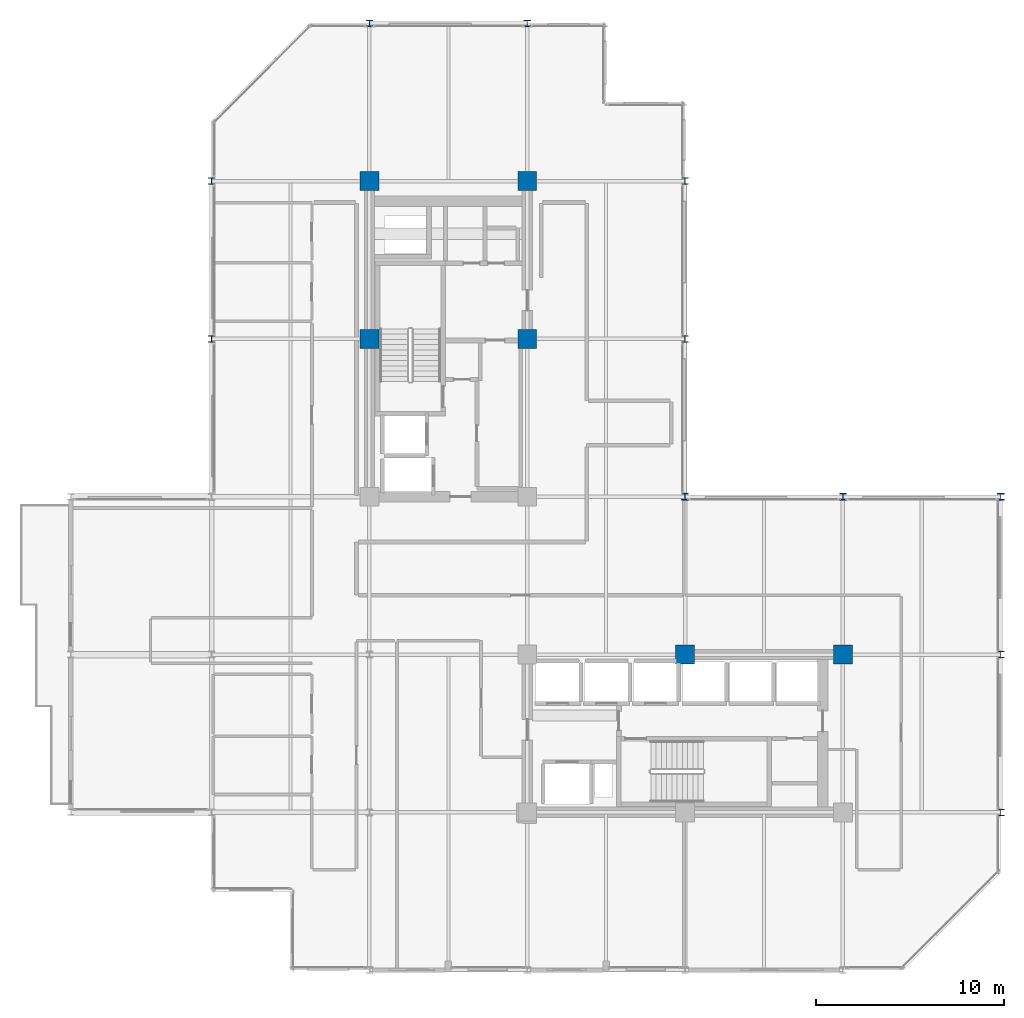
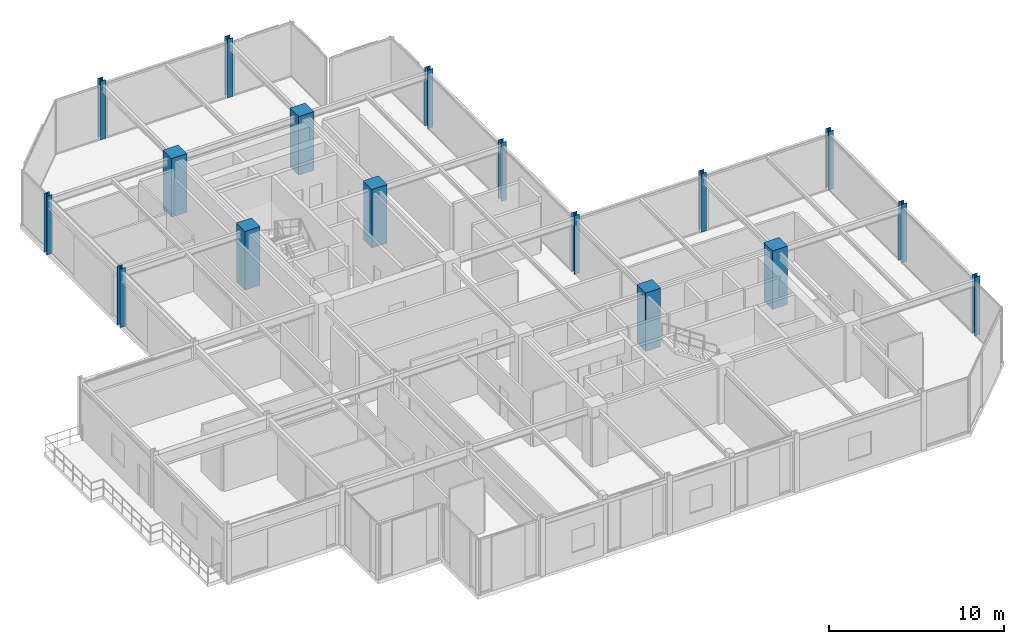
# One storey, part 2 of 29: 17 columns.
"""IFC4 building model written with IfcOpenShell, lengths in metres."""

from ifc_helpers import new_model, si_unit, direction, frame, origin, origin_2d, place, context, subcontext, project, spatial, rectangle, i_section, extrude, material, material_profile, profile_set, type_object, element, save


model = new_model("IFC4")

# Units and contexts
model_context = context("Model", 3, precision=1e-05, world=origin(), true_north=direction((0.0, 1.0)))
body_context = subcontext(model_context, "Body", "Model", "MODEL_VIEW")
ifc_project = project(units=[si_unit("LENGTHUNIT", "METRE"), si_unit("AREAUNIT", "SQUARE_METRE"), si_unit("VOLUMEUNIT", "CUBIC_METRE"), si_unit("PLANEANGLEUNIT", "RADIAN"), si_unit("MASSUNIT", "GRAM", prefix="KILO")], contexts=[model_context])

# Site, building, storey
site_placement = place(None, origin())
site = spatial("IfcSite", under=ifc_project, at=site_placement, CompositionType="ELEMENT")
building_placement = place(site_placement, origin())
building = spatial("IfcBuilding", under=site, at=building_placement, Name="Nerrivon Quay Data Exchange", CompositionType="ELEMENT")
storey_placement = place(building_placement, frame((0.0, 0.0, 183.699951171875)))
storey = spatial("IfcBuildingStorey", under=building, at=storey_placement, Name="L43", CompositionType="ELEMENT", Elevation=183.699951171875)

# Columns
ifc_material_1 = material(Name="Concrete S65 (65 MPa)", Category="concrete")
ifc_material_profile_1 = material_profile(ifc_material_1, rectangle(XDim=1.0, YDim=1.0, at=origin_2d()), Name="RC-COL-1000x1000")
ifc_profile_set_1 = profile_set([ifc_material_profile_1], Name="Concrete S65 (65 MPa)")
column_type_1 = type_object("IfcColumnType", Name="COL-C4-1000", PredefinedType="COLUMN", material=ifc_profile_set_1)
for number, where, z_axis, x_axis, name in (
    (1, (8.39990234375, 33.60009765625, 0.0), (0.0, 0.0, 1.0), (1.0, 0.0, 0.0), "L43 Column (8.4,33.6)"),
    (2, (8.39990234375, 42.0, 0.0), (0.0, 0.0, 1.0), (1.0, 0.0, 0.0), "L43 Column (8.4,42.0)"),
    (3, (16.800048828125, 33.60009765625, 0.0), (0.0, 0.0, 1.0), (1.0, 0.0, 0.0), "L43 Column (16.8,33.6)"),
    (4, (16.800048828125, 42.0, 0.0), (0.0, 0.0, 1.0), (1.0, 0.0, 0.0), "L43 Column (16.8,42.0)"),
    (5, (25.199951171875, 16.800048828125, 0.0), (0.0, 0.0, 1.0), (1.0, 0.0, 0.0), "L43 Column (25.2,16.8)"),
    (6, (33.60009765625, 16.800048828125, 0.0), (0.0, 0.0, 1.0), (1.0, 0.0, 0.0), "L43 Column (33.6,16.8)"),
):
    element("IfcColumn", number, at=place(storey_placement, frame(where, z_axis=z_axis, x_axis=x_axis)), inside=storey, type_object=column_type_1, Name=name, PredefinedType="COLUMN", context=body_context, shape_type="SweptSolid", body=[
        extrude(rectangle(XDim=1.0, YDim=1.0, at=origin_2d()), origin(), (0.0, 0.0, 1.0), 4.10009765625),
    ])
ifc_material_2 = material(Name="Steel Grade 350", Category="steel")
ifc_material_profile_2 = material_profile(ifc_material_2, i_section(OverallWidth=0.35009765625, OverallDepth=0.35009765625, WebThickness=0.02001953125, FlangeThickness=0.031982421875, at=origin_2d()), Name="350WC230")
ifc_profile_set_2 = profile_set([ifc_material_profile_2], Name="Steel Grade 350")
column_type_2 = type_object("IfcColumnType", Name="COL-SC3-350WC", PredefinedType="COLUMN", material=ifc_profile_set_2)
for number, where, z_axis, x_axis, name in (
    (7, (0.0, 33.60009765625, 0.0), (0.0, 0.0, 1.0), (1.0, 0.0, 0.0), "L43 Column (0.0,33.6)"),
    (8, (0.0, 42.0, 0.0), (0.0, 0.0, 1.0), (1.0, 0.0, 0.0), "L43 Column (0.0,42.0)"),
    (9, (8.39990234375, 50.39990234375, 0.0), (0.0, 0.0, 1.0), (1.0, 0.0, 0.0), "L43 Column (8.4,50.4)"),
    (10, (16.800048828125, 50.39990234375, 0.0), (0.0, 0.0, 1.0), (1.0, 0.0, 0.0), "L43 Column (16.8,50.4)"),
    (11, (25.199951171875, 25.199951171875, 0.0), (0.0, 0.0, 1.0), (1.0, 0.0, 0.0), "L43 Column (25.2,25.2)"),
    (12, (25.199951171875, 33.60009765625, 0.0), (0.0, 0.0, 1.0), (1.0, 0.0, 0.0), "L43 Column (25.2,33.6)"),
    (13, (25.199951171875, 42.0, 0.0), (0.0, 0.0, 1.0), (1.0, 0.0, 0.0), "L43 Column (25.2,42.0)"),
    (14, (33.60009765625, 25.199951171875, 0.0), (0.0, 0.0, 1.0), (1.0, 0.0, 0.0), "L43 Column (33.6,25.2)"),
    (15, (42.0, 8.39990234375, 0.0), (0.0, 0.0, 1.0), (1.0, 0.0, 0.0), "L43 Column (42.0,8.4)"),
    (16, (42.0, 16.800048828125, 0.0), (0.0, 0.0, 1.0), (1.0, 0.0, 0.0), "L43 Column (42.0,16.8)"),
    (17, (42.0, 25.199951171875, 0.0), (0.0, 0.0, 1.0), (1.0, 0.0, 0.0), "L43 Column (42.0,25.2)"),
):
    element("IfcColumn", number, at=place(storey_placement, frame(where, z_axis=z_axis, x_axis=x_axis)), inside=storey, type_object=column_type_2, Name=name, PredefinedType="COLUMN", context=body_context, shape_type="SweptSolid", body=[
        extrude(i_section(OverallWidth=0.35009765625, OverallDepth=0.35009765625, WebThickness=0.02001953125, FlangeThickness=0.031982421875, at=origin_2d()), origin(), (0.0, 0.0, 1.0), 4.10009765625),
    ])

save(model, "model.ifc")
